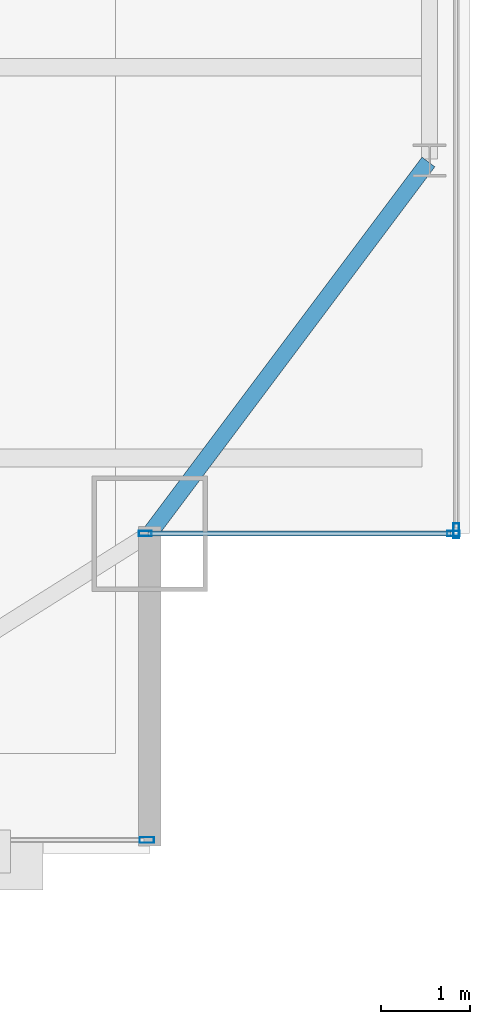
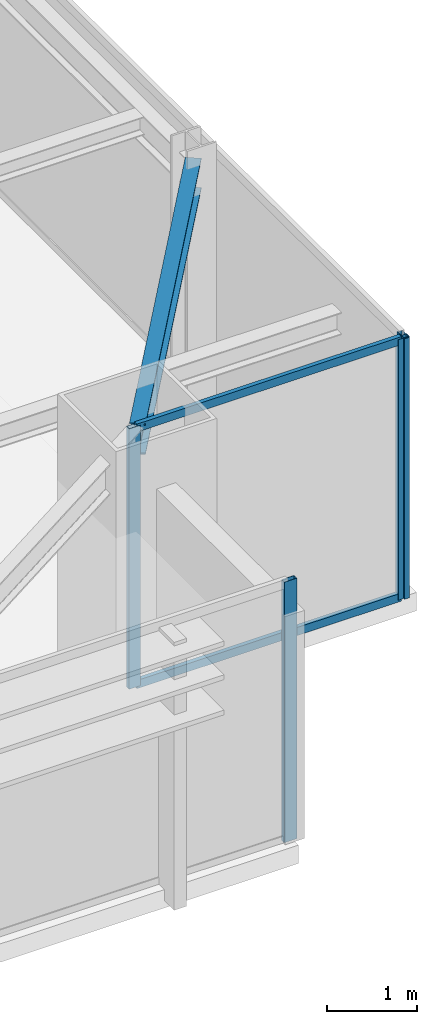
# One storey, part 16 of 31: 6 members, 1 beam, 3 elements without a shape of their own.
"""IFC4 building model written with IfcOpenShell, lengths in metres."""

from ifc_helpers import new_model, si_unit, direction, frame, origin, origin_2d, place, context, subcontext, project, spatial, hollow_rectangle, i_section, extrude, source, transform, mapped, material, layer, layer_set, material_profile, profile_set, type_object, type_shapes, element, aggregate, save


model = new_model("IFC4")

# Units and contexts
model_context = context("Model", 3, precision=1e-05, world=origin(), true_north=direction((0.0, 1.0)))
body_context = subcontext(model_context, "Body", "Model", "MODEL_VIEW")
ifc_project = project(units=[si_unit("LENGTHUNIT", "METRE"), si_unit("AREAUNIT", "SQUARE_METRE"), si_unit("VOLUMEUNIT", "CUBIC_METRE"), si_unit("PLANEANGLEUNIT", "RADIAN"), si_unit("MASSUNIT", "GRAM", prefix="KILO")], contexts=[model_context])

# Site, building, storey
site_placement = place(None, origin())
site = spatial("IfcSite", under=ifc_project, at=site_placement, CompositionType="ELEMENT")
building_placement = place(site_placement, origin())
building = spatial("IfcBuilding", under=site, at=building_placement, Name="Varnel Quay Broadcast Tower", CompositionType="ELEMENT")
storey_placement = place(building_placement, frame((0.0, 0.0, 153.39990234375)))
storey = spatial("IfcBuildingStorey", under=building, at=storey_placement, Name="L37", CompositionType="ELEMENT", Elevation=153.39990234375)

# Beam
ifc_material_1 = material(Name="Structural Steel CSA G40.21 350W", Category="steel")
ifc_material_profile_1 = material_profile(ifc_material_1, i_section(OverallWidth=0.180908203125, OverallDepth=0.4169921875, WebThickness=0.010986328125, FlangeThickness=0.018310546875, FilletRadius=0.011962890625, at=origin_2d()), Name="W410X85")
ifc_profile_set_1 = profile_set([ifc_material_profile_1], Name="Structural Steel CSA G40.21 350W")
beam_type = type_object("IfcBeamType", Name="Beam_W410X85", PredefinedType="SPANDREL", material=ifc_profile_set_1)
shared_shape_1 = source(origin(), body_context, "Body", "SweptSolid", [
    extrude(i_section(OverallWidth=0.180908203125, OverallDepth=0.4169921875, WebThickness=0.010986328125, FlangeThickness=0.018310546875, FilletRadius=0.011962890625, at=origin_2d()), origin(), (0.0, 0.0, 1.0), 5.2099609375),
])
type_shapes(beam_type, [shared_shape_1])
beam_placement = place(storey_placement, frame((57.412109375, 10.81591796875, 3.341552734375), z_axis=(0.6, 0.8, 0.0), x_axis=(-0.8, 0.6, 0.0)))
element("IfcBeam", 1, at=beam_placement, inside=storey, type_object=beam_type, Name="L37 East Spandrel MC-SE-TC-E1", PredefinedType="SPANDREL", context=body_context, shape_type="MappedRepresentation", body=[
    mapped(shared_shape_1, transform((0.0, 0.0, 0.0), x_axis=(1.0, 0.0, 0.0), y_axis=(0.0, 1.0, 0.0), z_axis=(0.0, 0.0, 1.0), scale=1.0)),
])

# Curtain wall, members
ifc_material_2 = material(Name="Anodised Bronze Aluminium 6063-T6", Category="aluminium")
ifc_layer_1 = layer(ifc_material_2, 0.18994140625, Name="Anodised Bronze Aluminium 6063-T6")
ifc_layer_set_1 = layer_set([ifc_layer_1], Name="Anodised Bronze Aluminium 6063-T6")
curtain_wall_type_1 = type_object("IfcCurtainWallType", Name="CW_NotchCorner", PredefinedType="NOTDEFINED", material=ifc_layer_set_1)
curtain_wall_1_placement = place(storey_placement, origin())
curtain_wall_1 = element("IfcCurtainWall", 2, at=curtain_wall_1_placement, inside=storey, type_object=curtain_wall_type_1, Name="L37 SE Notch Curtain Wall", PredefinedType="NOTDEFINED")
ifc_material_profile_2 = material_profile(ifc_material_2, hollow_rectangle(XDim=0.054931640625, YDim=0.110107421875, WallThickness=0.0029296875, at=origin_2d()), Name="ALU55X110X3")
ifc_profile_set_2 = profile_set([ifc_material_profile_2], Name="Anodised Bronze Aluminium 6063-T6")
member_type_1 = type_object("IfcMemberType", Name="Tran_CWS-04", PredefinedType="USERDEFINED", material=ifc_profile_set_2)
shared_shape_2 = source(origin(), body_context, "Body", "SweptSolid", [
    extrude(hollow_rectangle(XDim=0.054931640625, YDim=0.110107421875, WallThickness=0.0029296875, at=origin_2d()), origin(), (0.0, 0.0, 1.0), 3.41015625),
])
type_shapes(member_type_1, [shared_shape_2])
member_1_placement = place(storey_placement, frame((57.3798828125, 10.800048828125, 0.027587890625), z_axis=(1.0, 0.0, 0.0), x_axis=(0.0, 1.0, 0.0)))
member_1 = element("IfcMember", 3, at=member_1_placement, type_object=member_type_1, Name="CWS-04 transom 1.1", ObjectType="TRANSOM", PredefinedType="USERDEFINED", context=body_context, shape_type="MappedRepresentation", body=[
    mapped(shared_shape_2, transform((0.0, 0.0, 0.0), x_axis=(1.0, 0.0, 0.0), y_axis=(0.0, 1.0, 0.0), z_axis=(0.0, 0.0, 1.0), scale=1.0)),
])
member_2_placement = place(storey_placement, frame((57.3798828125, 10.800048828125, 3.522705078125), z_axis=(1.0, 0.0, 0.0), x_axis=(0.0, 1.0, 0.0)))
member_2 = element("IfcMember", 4, at=member_2_placement, type_object=member_type_1, Name="CWS-04 transom 1.2", ObjectType="TRANSOM", PredefinedType="USERDEFINED", context=body_context, shape_type="MappedRepresentation", body=[
    mapped(shared_shape_2, transform((0.0, 0.0, 0.0), x_axis=(1.0, 0.0, 0.0), y_axis=(0.0, 1.0, 0.0), z_axis=(0.0, 0.0, 1.0), scale=1.0)),
])
ifc_material_profile_3 = material_profile(ifc_material_2, hollow_rectangle(XDim=0.06005859375, YDim=0.14501953125, WallThickness=0.00341796875, at=origin_2d()), Name="ALU60X145X3.5")
ifc_profile_set_3 = profile_set([ifc_material_profile_3], Name="Anodised Bronze Aluminium 6063-T6")
member_type_2 = type_object("IfcMemberType", Name="Mull_CWS-04", PredefinedType="MULLION", material=ifc_profile_set_3)
shared_shape_3 = source(origin(), body_context, "Body", "SweptSolid", [
    extrude(hollow_rectangle(XDim=0.06005859375, YDim=0.14501953125, WallThickness=0.00341796875, at=origin_2d()), origin(), (0.0, 0.0, 1.0), 3.550048828125),
])
type_shapes(member_type_2, [shared_shape_3])
member_3_placement = place(storey_placement, frame((57.35009765625, 10.800048828125, 0.0), z_axis=(0.0, 0.0, 1.0), x_axis=(0.0, 1.0, 0.0)))
member_3 = element("IfcMember", 5, at=member_3_placement, type_object=member_type_2, Name="CWS-04 mullion 1", PredefinedType="MULLION", context=body_context, shape_type="MappedRepresentation", body=[
    mapped(shared_shape_3, transform((0.0, 0.0, 0.0), x_axis=(1.0, 0.0, 0.0), y_axis=(0.0, 1.0, 0.0), z_axis=(0.0, 0.0, 1.0), scale=1.0)),
])
member_4_placement = place(storey_placement, frame((60.820068359375, 10.800048828125, 0.0), z_axis=(0.0, 0.0, 1.0), x_axis=(0.0, 1.0, 0.0)))
member_4 = element("IfcMember", 6, at=member_4_placement, type_object=member_type_2, Name="CWS-04 mullion 2", PredefinedType="MULLION", context=body_context, shape_type="MappedRepresentation", body=[
    mapped(shared_shape_3, transform((0.0, 0.0, 0.0), x_axis=(1.0, 0.0, 0.0), y_axis=(0.0, 1.0, 0.0), z_axis=(0.0, 0.0, 1.0), scale=1.0)),
])
aggregate(curtain_wall_1, [member_3, member_4, member_1, member_2])

# Curtain wall, member
ifc_layer_2 = layer(ifc_material_2, 0.18994140625, Name="Anodised Bronze Aluminium 6063-T6")
ifc_layer_set_2 = layer_set([ifc_layer_2], Name="Anodised Bronze Aluminium 6063-T6")
curtain_wall_type_2 = type_object("IfcCurtainWallType", Name="CW_UpperTower", PredefinedType="NOTDEFINED", material=ifc_layer_set_2)
curtain_wall_2_placement = place(storey_placement, origin())
curtain_wall_2 = element("IfcCurtainWall", 7, at=curtain_wall_2_placement, inside=storey, type_object=curtain_wall_type_2, Name="L37 South Unitised Curtain Wall 3", PredefinedType="NOTDEFINED")
ifc_material_profile_4 = material_profile(ifc_material_2, hollow_rectangle(XDim=0.06494140625, YDim=0.1650390625, WallThickness=0.00341796875, at=origin_2d()), Name="ALU65X165X3.5")
ifc_profile_set_4 = profile_set([ifc_material_profile_4], Name="Anodised Bronze Aluminium 6063-T6")
member_type_3 = type_object("IfcMemberType", Name="Mull_CWS-03", PredefinedType="MULLION", material=ifc_profile_set_4)
shared_shape_4 = source(origin(), body_context, "Body", "SweptSolid", [
    extrude(hollow_rectangle(XDim=0.06494140625, YDim=0.1650390625, WallThickness=0.00341796875, at=origin_2d()), origin(), (0.0, 0.0, 1.0), 3.550048828125),
])
type_shapes(member_type_3, [shared_shape_4])
member_5_placement = place(storey_placement, frame((57.367431640625, 7.35009765625, 0.0), z_axis=(0.0, 0.0, 1.0), x_axis=(0.0, 1.0, 0.0)))
member_5 = element("IfcMember", 8, at=member_5_placement, type_object=member_type_3, Name="CWS-03 mullion 2", PredefinedType="MULLION", context=body_context, shape_type="MappedRepresentation", body=[
    mapped(shared_shape_4, transform((0.0, 0.0, 0.0), x_axis=(1.0, 0.0, 0.0), y_axis=(0.0, 1.0, 0.0), z_axis=(0.0, 0.0, 1.0), scale=1.0)),
])
aggregate(curtain_wall_2, [member_5])

curtain_wall_3_placement = place(storey_placement, origin())
curtain_wall_3 = element("IfcCurtainWall", 9, at=curtain_wall_3_placement, inside=storey, type_object=curtain_wall_type_2, Name="L37 East Unitised Curtain Wall", PredefinedType="NOTDEFINED")
member_6_placement = place(storey_placement, frame((60.85009765625, 10.83251953125, 0.0), z_axis=(0.0, 0.0, 1.0), x_axis=(-1.0, 0.0, 0.0)))
member_6 = element("IfcMember", 10, at=member_6_placement, type_object=member_type_3, Name="CWS-03 mullion 1", PredefinedType="MULLION", context=body_context, shape_type="MappedRepresentation", body=[
    mapped(shared_shape_4, transform((0.0, 0.0, 0.0), x_axis=(1.0, 0.0, 0.0), y_axis=(0.0, 1.0, 0.0), z_axis=(0.0, 0.0, 1.0), scale=1.0)),
])
aggregate(curtain_wall_3, [member_6])

save(model, "model.ifc")
